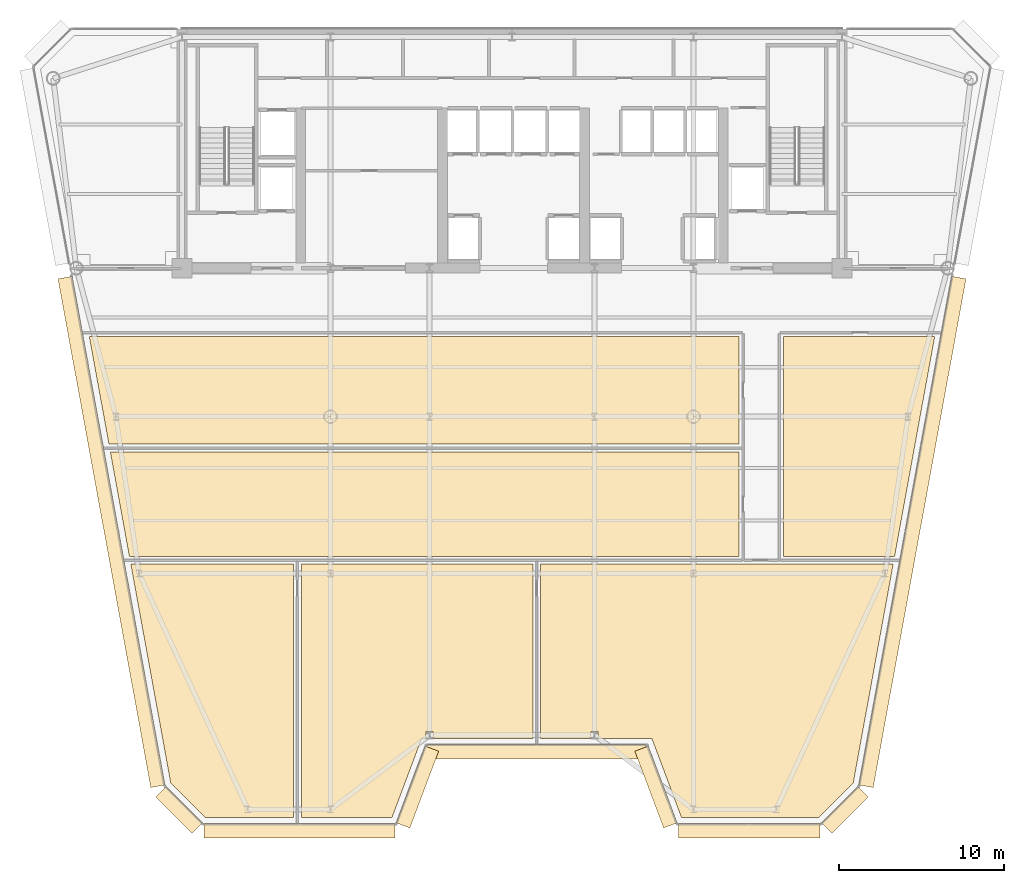
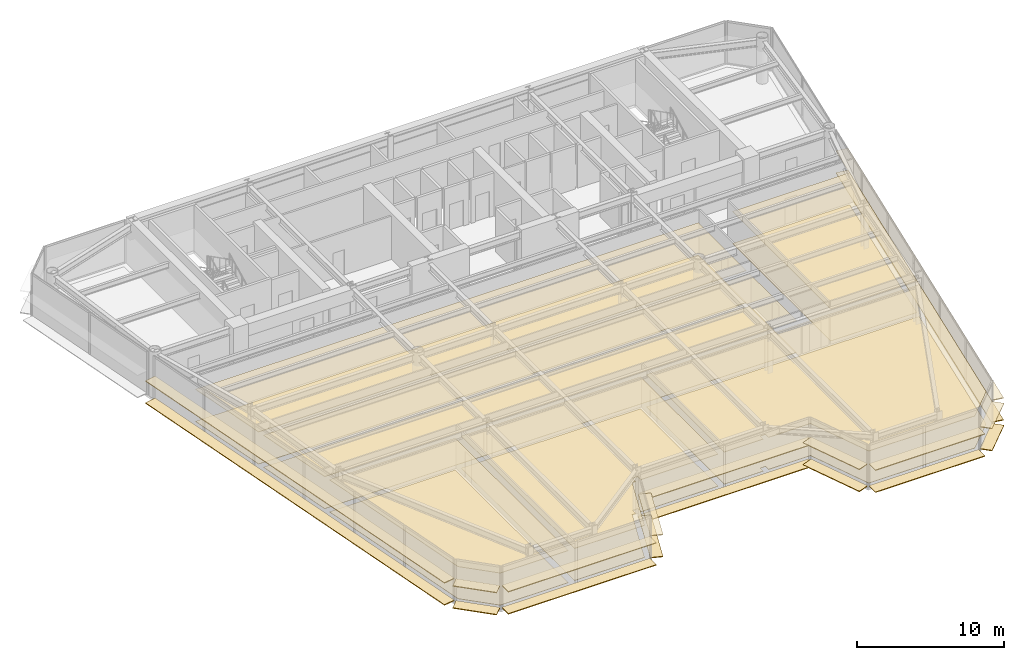
# One storey, part 14 of 17: 30 coverings.
"""IFC4 building model written with IfcOpenShell, lengths in metres."""

from ifc_helpers import new_model, si_unit, direction, frame, origin, origin_2d, place, context, subcontext, project, spatial, polyline, rectangle, outline, extrude, source, transform, mapped, material, layer, layer_set, type_object, element, save


model = new_model("IFC4")

# Units and contexts
model_context = context("Model", 3, precision=1e-05, world=origin(), true_north=direction((0.0, 1.0)))
body_context = subcontext(model_context, "Body", "Model", "MODEL_VIEW")
ifc_project = project(units=[si_unit("LENGTHUNIT", "METRE"), si_unit("AREAUNIT", "SQUARE_METRE"), si_unit("VOLUMEUNIT", "CUBIC_METRE"), si_unit("PLANEANGLEUNIT", "RADIAN"), si_unit("MASSUNIT", "GRAM", prefix="KILO")], contexts=[model_context])

# Site, building, storey
site_placement = place(None, origin())
site = spatial("IfcSite", under=ifc_project, at=site_placement, CompositionType="ELEMENT")
building_placement = place(site_placement, origin())
building = spatial("IfcBuilding", under=site, at=building_placement, Name="Vaeldorn Concourse Tower", CompositionType="ELEMENT")
storey_placement = place(building_placement, frame((0.0, 0.0, 172.800048828125)))
storey = spatial("IfcBuildingStorey", under=building, at=storey_placement, Name="L44", CompositionType="ELEMENT", Elevation=172.800048828125)

# Coverings
ifc_material_1 = material(Name="Acoustic Mineral Fibre Board", Category="gypsum")
ifc_layer_1 = layer(ifc_material_1, 0.0400390625)
ifc_layer_set_1 = layer_set([ifc_layer_1], Name="Acoustic Mineral Fibre Board")
covering_type_1 = type_object("IfcCoveringType", Name="COV-CEIL-ACOUSTIC", PredefinedType="CEILING", material=ifc_layer_set_1)
covering_1_placement = place(storey_placement, frame((0.0, 0.0, 2.64990234375)))
element("IfcCovering", 1, at=covering_1_placement, inside=storey, type_object=covering_type_1, Name="Suspended Acoustic Ceiling L44-6", PredefinedType="CEILING", context=body_context, shape_type="SweptSolid", body=[
    extrude(outline(polyline([(20.760009765625, 18.56005859375), (20.760009765625, 3.199951171875), (15.418701171875, 3.199951171875), (13.32421875, 5.294677734375), (10.904296875, 18.56005859375), (20.760009765625, 18.56005859375)])), origin(), (0.0, 0.0, 1.0), 0.0400390625),
])
covering_2_placement = place(storey_placement, frame((0.0, 0.0, 2.64990234375)))
element("IfcCovering", 2, at=covering_2_placement, inside=storey, type_object=covering_type_1, Name="Suspended Acoustic Ceiling L44-7", PredefinedType="CEILING", context=body_context, shape_type="SweptSolid", body=[
    extrude(outline(polyline([(26.722900390625, 3.199951171875), (21.239990234375, 3.199951171875), (21.239990234375, 18.56005859375), (35.260009765625, 18.56005859375), (35.260009765625, 8.0), (29.2060546875, 8.0), (29.2060546875, 8.41748046875), (28.7939453125, 8.41748046875), (28.7939453125, 8.0), (28.522705078125, 8.0), (26.722900390625, 3.199951171875)])), origin(), (0.0, 0.0, 1.0), 0.0400390625),
])
covering_3_placement = place(storey_placement, frame((0.0, 0.0, 2.64990234375)))
element("IfcCovering", 3, at=covering_3_placement, inside=storey, type_object=covering_type_1, Name="Suspended Acoustic Ceiling L44-8", PredefinedType="CEILING", context=body_context, shape_type="SweptSolid", body=[
    extrude(outline(polyline([(35.739990234375, 18.56005859375), (57.095703125, 18.56005859375), (54.67578125, 5.294677734375), (52.581298828125, 3.199951171875), (44.277099609375, 3.199951171875), (42.477294921875, 8.0), (39.2060546875, 8.0), (39.2060546875, 8.41748046875), (38.7939453125, 8.41748046875), (38.7939453125, 8.0), (35.739990234375, 8.0), (35.739990234375, 18.56005859375)])), origin(), (0.0, 0.0, 1.0), 0.0400390625),
])
covering_4_placement = place(storey_placement, frame((0.0, 0.0, 2.64990234375)))
element("IfcCovering", 4, at=covering_4_placement, inside=storey, type_object=covering_type_1, Name="Suspended Acoustic Ceiling L44-9", PredefinedType="CEILING", context=body_context, shape_type="SweptSolid", body=[
    extrude(outline(polyline([(47.760009765625, 25.360107421875), (47.760009765625, 19.0400390625), (10.81689453125, 19.0400390625), (9.6640625, 25.360107421875), (47.760009765625, 25.360107421875)])), origin(), (0.0, 0.0, 1.0), 0.0400390625),
])
covering_5_placement = place(storey_placement, frame((0.0, 0.0, 2.64990234375)))
element("IfcCovering", 5, at=covering_5_placement, inside=storey, type_object=covering_type_1, Name="Suspended Acoustic Ceiling L44-10", PredefinedType="CEILING", context=body_context, shape_type="SweptSolid", body=[
    extrude(outline(polyline([(47.760009765625, 32.360107421875), (47.760009765625, 25.840087890625), (9.576416015625, 25.840087890625), (8.38720703125, 32.360107421875), (47.760009765625, 32.360107421875)])), origin(), (0.0, 0.0, 1.0), 0.0400390625),
])
covering_6_placement = place(storey_placement, frame((0.0, 0.0, 2.64990234375)))
element("IfcCovering", 6, at=covering_6_placement, inside=storey, type_object=covering_type_1, Name="Suspended Acoustic Ceiling L44-11", PredefinedType="CEILING", context=body_context, shape_type="SweptSolid", body=[
    extrude(outline(polyline([(50.43994140625, 19.0400390625), (50.43994140625, 32.360107421875), (59.61279296875, 32.360107421875), (57.18310546875, 19.0400390625), (50.43994140625, 19.0400390625)])), origin(), (0.0, 0.0, 1.0), 0.0400390625),
])
ifc_material_2 = material(Name="Honed Limestone Terrazzo Flooring", Category="masonry")
ifc_layer_2 = layer(ifc_material_2, 0.0400390625)
ifc_layer_set_2 = layer_set([ifc_layer_2], Name="Honed Limestone Terrazzo Flooring")
covering_type_2 = type_object("IfcCoveringType", Name="COV-FLOOR-STONE", PredefinedType="FLOORING", material=ifc_layer_set_2)
covering_7_placement = place(storey_placement, origin())
element("IfcCovering", 7, at=covering_7_placement, inside=storey, type_object=covering_type_2, Name="Floor Finish Covering L44-6", PredefinedType="FLOORING", context=body_context, shape_type="SweptSolid", body=[
    extrude(outline(polyline([(20.760009765625, 18.56005859375), (20.760009765625, 3.199951171875), (15.418701171875, 3.199951171875), (13.32421875, 5.294677734375), (10.904296875, 18.56005859375), (20.760009765625, 18.56005859375)])), origin(), (0.0, 0.0, 1.0), 0.030029296875),
])
covering_8_placement = place(storey_placement, origin())
element("IfcCovering", 8, at=covering_8_placement, inside=storey, type_object=covering_type_2, Name="Floor Finish Covering L44-7", PredefinedType="FLOORING", context=body_context, shape_type="SweptSolid", body=[
    extrude(outline(polyline([(26.722900390625, 3.199951171875), (21.239990234375, 3.199951171875), (21.239990234375, 18.56005859375), (35.260009765625, 18.56005859375), (35.260009765625, 8.0), (29.2060546875, 8.0), (29.2060546875, 8.41748046875), (28.7939453125, 8.41748046875), (28.7939453125, 8.0), (28.522705078125, 8.0), (26.722900390625, 3.199951171875)])), origin(), (0.0, 0.0, 1.0), 0.030029296875),
])
covering_9_placement = place(storey_placement, origin())
element("IfcCovering", 9, at=covering_9_placement, inside=storey, type_object=covering_type_2, Name="Floor Finish Covering L44-8", PredefinedType="FLOORING", context=body_context, shape_type="SweptSolid", body=[
    extrude(outline(polyline([(35.739990234375, 18.56005859375), (57.095703125, 18.56005859375), (54.67578125, 5.294677734375), (52.581298828125, 3.199951171875), (44.277099609375, 3.199951171875), (42.477294921875, 8.0), (39.2060546875, 8.0), (39.2060546875, 8.41748046875), (38.7939453125, 8.41748046875), (38.7939453125, 8.0), (35.739990234375, 8.0), (35.739990234375, 18.56005859375)])), origin(), (0.0, 0.0, 1.0), 0.030029296875),
])
covering_10_placement = place(storey_placement, origin())
element("IfcCovering", 10, at=covering_10_placement, inside=storey, type_object=covering_type_2, Name="Floor Finish Covering L44-9", PredefinedType="FLOORING", context=body_context, shape_type="SweptSolid", body=[
    extrude(outline(polyline([(47.760009765625, 25.360107421875), (47.760009765625, 19.0400390625), (10.81689453125, 19.0400390625), (9.6640625, 25.360107421875), (47.760009765625, 25.360107421875)])), origin(), (0.0, 0.0, 1.0), 0.030029296875),
])
covering_11_placement = place(storey_placement, origin())
element("IfcCovering", 11, at=covering_11_placement, inside=storey, type_object=covering_type_2, Name="Floor Finish Covering L44-10", PredefinedType="FLOORING", context=body_context, shape_type="SweptSolid", body=[
    extrude(outline(polyline([(47.760009765625, 32.360107421875), (47.760009765625, 25.840087890625), (9.576416015625, 25.840087890625), (8.38720703125, 32.360107421875), (47.760009765625, 32.360107421875)])), origin(), (0.0, 0.0, 1.0), 0.030029296875),
])
covering_12_placement = place(storey_placement, origin())
element("IfcCovering", 12, at=covering_12_placement, inside=storey, type_object=covering_type_2, Name="Floor Finish Covering L44-11", PredefinedType="FLOORING", context=body_context, shape_type="SweptSolid", body=[
    extrude(outline(polyline([(50.43994140625, 19.0400390625), (50.43994140625, 32.360107421875), (59.61279296875, 32.360107421875), (57.18310546875, 19.0400390625), (50.43994140625, 19.0400390625)])), origin(), (0.0, 0.0, 1.0), 0.030029296875),
])
ifc_material_3 = material(Name="Anodised Bronze Aluminium", Category="aluminium")
ifc_layer_3 = layer(ifc_material_3, 0.06494140625)
ifc_layer_set_3 = layer_set([ifc_layer_3], Name="Anodised Bronze Aluminium")
covering_type_3 = type_object("IfcCoveringType", Name="SD-BRONZE-SUNSHADE", PredefinedType="USERDEFINED", material=ifc_layer_set_3)
shared_shape_1 = source(origin(), body_context, "Body", "SweptSolid", [
    extrude(rectangle(XDim=4.96630859375, YDim=0.8798828125, at=origin_2d()), origin(), (0.0, 0.0, 1.0), 0.06494140625),
])
for number, where, z_axis, x_axis, name in (
    (13, (28.2744140625, 5.0595703125, 0.04736328125), (0.0, 0.0, 1.0), (0.351122702609, 0.936329454686, 0.0), "Horizontal Bronze Sunshade L44-E02.1.1"),
    (14, (28.2744140625, 5.0595703125, 1.867431640625), (0.0, 0.0, 1.0), (0.351122702609, 0.936329454686, 0.0), "Horizontal Bronze Sunshade L44-E02.1.2"),
    (15, (42.7255859375, 5.0595703125, 0.04736328125), (0.0, 0.0, 1.0), (0.351122702609, -0.936329454686, 0.0), "Horizontal Bronze Sunshade L44-E04.1.1"),
    (16, (42.7255859375, 5.0595703125, 1.867431640625), (0.0, 0.0, 1.0), (0.351122702609, -0.936329454686, 0.0), "Horizontal Bronze Sunshade L44-E04.1.2"),
):
    element("IfcCovering", number, at=place(storey_placement, frame(where, z_axis=z_axis, x_axis=x_axis)), inside=storey, type_object=covering_type_3, Name=name, ObjectType="SUNSHADE", PredefinedType="USERDEFINED", context=body_context, shape_type="MappedRepresentation", body=[
        mapped(shared_shape_1, transform((0.0, 0.0, 0.0), scale=1.0)),
    ])
shared_shape_2 = source(origin(), body_context, "Body", "SweptSolid", [
    extrude(rectangle(XDim=13.239990234375, YDim=0.8798828125, at=origin_2d()), origin(), (0.0, 0.0, 1.0), 0.06494140625),
])
for number, where, z_axis, x_axis, name in (
    (17, (35.5, 7.199951171875, 0.04736328125), (0.0, 0.0, 1.0), (1.0, 0.0, 0.0), "Horizontal Bronze Sunshade L44-E03.1.1"),
    (18, (35.5, 7.199951171875, 1.867431640625), (0.0, 0.0, 1.0), (1.0, 0.0, 0.0), "Horizontal Bronze Sunshade L44-E03.1.2"),
):
    element("IfcCovering", number, at=place(storey_placement, frame(where, z_axis=z_axis, x_axis=x_axis)), inside=storey, type_object=covering_type_3, Name=name, ObjectType="SUNSHADE", PredefinedType="USERDEFINED", context=body_context, shape_type="MappedRepresentation", body=[
        mapped(shared_shape_2, transform((0.0, 0.0, 0.0), scale=1.0)),
    ])
shared_shape_3 = source(origin(), body_context, "Body", "SweptSolid", [
    extrude(rectangle(XDim=3.0927734375, YDim=0.8798828125, at=origin_2d()), origin(), (0.0, 0.0, 1.0), 0.06494140625),
])
for number, where, z_axis, x_axis, name in (
    (19, (54.1796875, 3.667236328125, 0.04736328125), (0.0, 0.0, 1.0), (0.707106781187, 0.707106781187, 0.0), "Horizontal Bronze Sunshade L44-E06.1.1"),
    (20, (54.1796875, 3.667236328125, 1.867431640625), (0.0, 0.0, 1.0), (0.707106781187, 0.707106781187, 0.0), "Horizontal Bronze Sunshade L44-E06.1.2"),
    (21, (13.8203125, 3.667236328125, 0.04736328125), (0.0, 0.0, 1.0), (0.707106781187, -0.707106781187, 0.0), "Horizontal Bronze Sunshade L44-E12.1.1"),
    (22, (13.8203125, 3.667236328125, 1.867431640625), (0.0, 0.0, 1.0), (0.707106781187, -0.707106781187, 0.0), "Horizontal Bronze Sunshade L44-E12.1.2"),
):
    element("IfcCovering", number, at=place(storey_placement, frame(where, z_axis=z_axis, x_axis=x_axis)), inside=storey, type_object=covering_type_3, Name=name, ObjectType="SUNSHADE", PredefinedType="USERDEFINED", context=body_context, shape_type="MappedRepresentation", body=[
        mapped(shared_shape_3, transform((0.0, 0.0, 0.0), scale=1.0)),
    ])
shared_shape_4 = source(origin(), body_context, "Body", "SweptSolid", [
    extrude(rectangle(XDim=11.5869140625, YDim=0.8798828125, at=origin_2d()), origin(), (0.0, 0.0, 1.0), 0.06494140625),
])
for number, where, z_axis, x_axis, name in (
    (23, (21.12646484375, 2.39990234375, 0.04736328125), (0.0, 0.0, 1.0), (1.0, 0.0, 0.0), "Horizontal Bronze Sunshade L44-E01.1.1"),
    (24, (21.12646484375, 2.39990234375, 1.867431640625), (0.0, 0.0, 1.0), (1.0, 0.0, 0.0), "Horizontal Bronze Sunshade L44-E01.1.2"),
):
    element("IfcCovering", number, at=place(storey_placement, frame(where, z_axis=z_axis, x_axis=x_axis)), inside=storey, type_object=covering_type_3, Name=name, ObjectType="SUNSHADE", PredefinedType="USERDEFINED", context=body_context, shape_type="MappedRepresentation", body=[
        mapped(shared_shape_4, transform((0.0, 0.0, 0.0), scale=1.0)),
    ])
shared_shape_5 = source(origin(), body_context, "Body", "SweptSolid", [
    extrude(rectangle(XDim=8.5869140625, YDim=0.8798828125, at=origin_2d()), origin(), (0.0, 0.0, 1.0), 0.06494140625),
])
for number, where, z_axis, x_axis, name in (
    (25, (48.37353515625, 2.39990234375, 0.04736328125), (0.0, 0.0, 1.0), (1.0, 0.0, 0.0), "Horizontal Bronze Sunshade L44-E05.1.1"),
    (26, (48.37353515625, 2.39990234375, 1.867431640625), (0.0, 0.0, 1.0), (1.0, 0.0, 0.0), "Horizontal Bronze Sunshade L44-E05.1.2"),
):
    element("IfcCovering", number, at=place(storey_placement, frame(where, z_axis=z_axis, x_axis=x_axis)), inside=storey, type_object=covering_type_3, Name=name, ObjectType="SUNSHADE", PredefinedType="USERDEFINED", context=body_context, shape_type="MappedRepresentation", body=[
        mapped(shared_shape_5, transform((0.0, 0.0, 0.0), scale=1.0)),
    ])
shared_shape_6 = source(origin(), body_context, "Body", "SweptSolid", [
    extrude(rectangle(XDim=31.334716796875, YDim=0.8798828125, at=origin_2d()), origin(), (0.0, 0.0, 1.0), 0.06494140625),
])
for number, where, z_axis, x_axis, name in (
    (27, (58.266357421875, 20.52001953125, 0.04736328125), (0.0, 0.0, 1.0), (0.179437543025, 0.983769367359, 0.0), "Horizontal Bronze Sunshade L44-E07.1.1"),
    (28, (58.266357421875, 20.52001953125, 1.867431640625), (0.0, 0.0, 1.0), (0.179437543025, 0.983769367359, 0.0), "Horizontal Bronze Sunshade L44-E07.1.2"),
    (29, (9.733642578125, 20.52001953125, 0.04736328125), (0.0, 0.0, 1.0), (0.179437543025, -0.983769367359, 0.0), "Horizontal Bronze Sunshade L44-E11.2.1"),
    (30, (9.733642578125, 20.52001953125, 1.867431640625), (0.0, 0.0, 1.0), (0.179437543025, -0.983769367359, 0.0), "Horizontal Bronze Sunshade L44-E11.2.2"),
):
    element("IfcCovering", number, at=place(storey_placement, frame(where, z_axis=z_axis, x_axis=x_axis)), inside=storey, type_object=covering_type_3, Name=name, ObjectType="SUNSHADE", PredefinedType="USERDEFINED", context=body_context, shape_type="MappedRepresentation", body=[
        mapped(shared_shape_6, transform((0.0, 0.0, 0.0), scale=1.0)),
    ])

save(model, "model.ifc")
